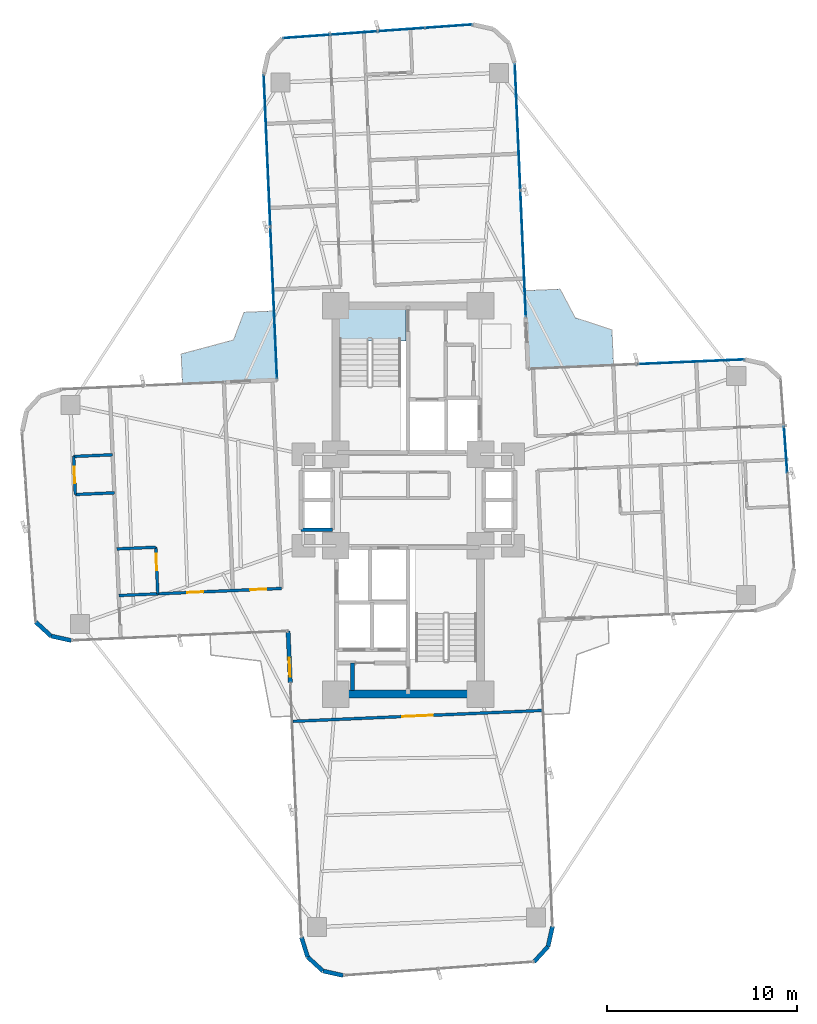
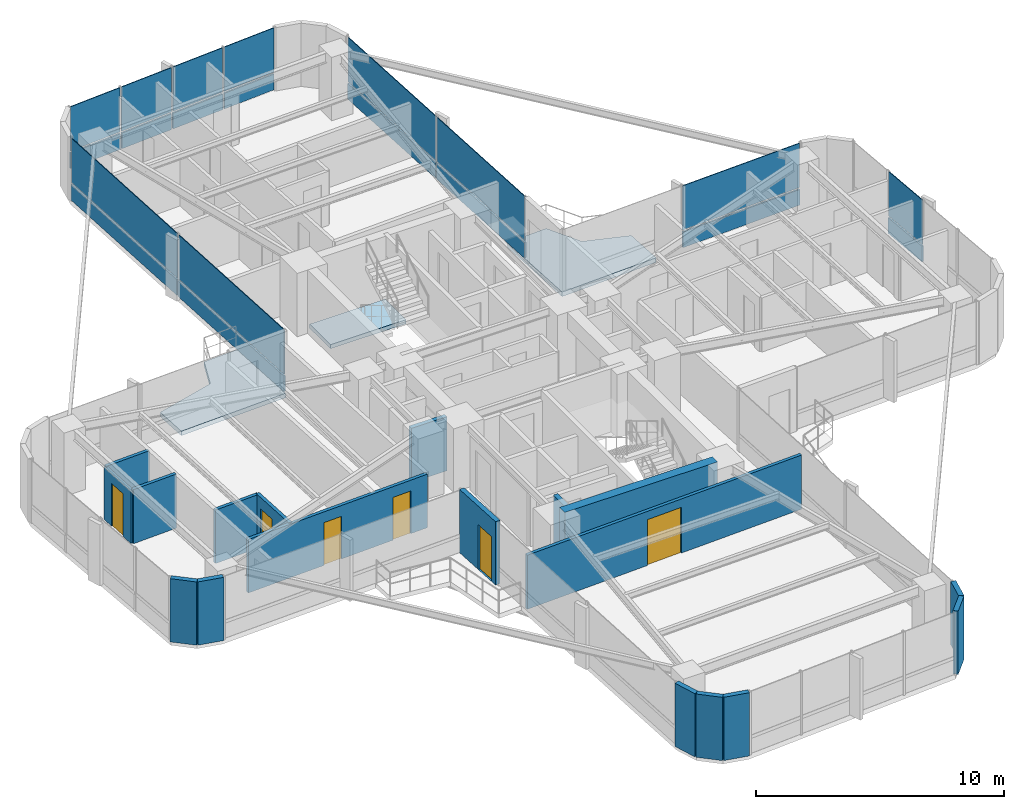
# One storey, part 22 of 26: 20 plates, 18 walls, 6 doors, 3 slabs, 6 openings, 5 elements without a shape of their own.
"""IFC4 building model written with IfcOpenShell, lengths in metres."""

from ifc_helpers import new_model, si_unit, direction, frame, frame_2d, origin, origin_2d, place, context, subcontext, project, spatial, polyline, rectangle, outline, extrude, source, transform, mapped, material, layer, layer_set, type_object, element, fill, aggregate, save


model = new_model("IFC4")

# Units and contexts
model_context = context("Model", 3, precision=1e-05, world=origin(), true_north=direction((0.0, 1.0)))
body_context = subcontext(model_context, "Body", "Model", "MODEL_VIEW")
ifc_project = project(units=[si_unit("LENGTHUNIT", "METRE"), si_unit("AREAUNIT", "SQUARE_METRE"), si_unit("VOLUMEUNIT", "CUBIC_METRE"), si_unit("PLANEANGLEUNIT", "RADIAN"), si_unit("MASSUNIT", "GRAM", prefix="KILO")], contexts=[model_context])

# Site, building, storey
site_placement = place(None, origin())
site = spatial("IfcSite", under=ifc_project, at=site_placement, CompositionType="ELEMENT")
building_placement = place(site_placement, origin())
building = spatial("IfcBuilding", under=site, at=building_placement, Name="Sahyath Konkavel Grand Hotel", CompositionType="ELEMENT")
storey_placement = place(building_placement, frame((0.0, 0.0, 83.5)))
storey = spatial("IfcBuildingStorey", under=building, at=storey_placement, Name="L22", CompositionType="ELEMENT", Elevation=83.5)

# Slabs
ifc_material_1 = material(Name="Concrete C40/50", Category="concrete")
ifc_layer_1 = layer(ifc_material_1, 0.219970703125)
ifc_layer_set_1 = layer_set([ifc_layer_1], Name="Concrete C40/50")
slab_type_1 = type_object("IfcSlabType", Name="SLB-BALCONY-220", PredefinedType="FLOOR", material=ifc_layer_set_1)
slab_1_placement = place(storey_placement, frame((0.0, 0.0, -0.219970703125)))
element("IfcSlab", 1, at=slab_1_placement, inside=storey, type_object=slab_type_1, Name="L22 Winter-Garden Balcony NE", PredefinedType="FLOOR", context=body_context, shape_type="SweptSolid", body=[
    extrude(outline(polyline([(6.305908203125, 6.881591796875), (10.78662109375, 7.0771484375), (10.70556640625, 8.933837890625), (8.771728515625, 9.57275390625), (7.98291015625, 11.07373046875), (6.126220703125, 10.99267578125), (6.305908203125, 6.881591796875)])), origin(), (0.0, 0.0, 1.0), 0.219970703125),
])
slab_2_placement = place(storey_placement, frame((0.0, 0.0, -0.219970703125)))
element("IfcSlab", 2, at=slab_2_placement, inside=storey, type_object=slab_type_1, Name="L22 Winter-Garden Balcony NW", PredefinedType="FLOOR", context=body_context, shape_type="SweptSolid", body=[
    extrude(outline(polyline([(-6.881591796875, 6.305908203125), (-7.039794921875, 9.927490234375), (-8.61865234375, 9.8583984375), (-9.17041015625, 8.403076171875), (-11.9208984375, 7.667724609375), (-11.851806640625, 6.0888671875), (-6.881591796875, 6.305908203125)])), origin(), (0.0, 0.0, 1.0), 0.219970703125),
])
ifc_layer_2 = layer(ifc_material_1, 0.199951171875)
ifc_layer_set_2 = layer_set([ifc_layer_2], Name="Concrete C40/50")
slab_type_2 = type_object("IfcSlabType", Name="SLB-STAIR-LND", PredefinedType="LANDING", material=ifc_layer_set_2)
slab_3_placement = place(storey_placement, frame((0.0, 0.0, -0.199951171875)))
element("IfcSlab", 3, at=slab_3_placement, inside=storey, type_object=slab_type_2, Name="L22 Stair ST-1 Floor Landing Slab", PredefinedType="LANDING", context=body_context, shape_type="SweptSolid", body=[
    extrude(outline(polyline([(-3.6201171875, 8.35009765625), (-0.10009765625, 8.35009765625), (-0.10009765625, 10.02001953125), (-3.6201171875, 10.02001953125), (-3.6201171875, 8.35009765625)])), origin(), (0.0, 0.0, 1.0), 0.199951171875),
])

# Curtain wall, plate
ifc_material_2 = material(Name="Anodised Bronze Aluminium & Low-E Glazing", Category="aluminium")
curtain_wall_type = type_object("IfcCurtainWallType", Name="CW-ZONE2", PredefinedType="NOTDEFINED", material=ifc_material_2)
curtain_wall_1_placement = place(storey_placement, origin())
curtain_wall_1 = element("IfcCurtainWall", 4, at=curtain_wall_1_placement, inside=storey, type_object=curtain_wall_type, Name="L22 Unitised Curtain Wall F4", PredefinedType="NOTDEFINED")
ifc_material_3 = material(Name="Warm Buff Sandstone Cladding", Category="masonry")
ifc_layer_3 = layer(ifc_material_3, 0.074951171875)
ifc_layer_set_3 = layer_set([ifc_layer_3], Name="Warm Buff Sandstone Cladding")
plate_type_1 = type_object("IfcPlateType", Name="PNL-SPANDREL-STONE", PredefinedType="SHEET", material=ifc_layer_set_3)
shared_shape_1 = source(origin(), body_context, "Body", "SweptSolid", [
    extrude(rectangle(XDim=2.41357421875, YDim=0.074951171875, at=origin_2d()), origin(), (0.0, 0.0, 1.0), 0.77001953125),
])
plate_1_placement = place(storey_placement, frame((19.828369140625, 2.638671875, 0.0400390625), z_axis=(0.0, 0.0, 1.0), x_axis=(-0.071567078661, 0.997435789037, 0.0)))
plate_1 = element("IfcPlate", 5, at=plate_1_placement, type_object=plate_type_1, Name="L22 Sandstone Relief Spandrel Panel F4-2", PredefinedType="SHEET", context=body_context, shape_type="MappedRepresentation", body=[
    mapped(shared_shape_1, transform((0.0, 0.0, 0.0), scale=1.0)),
])

# Curtain wall, plates
curtain_wall_2_placement = place(storey_placement, origin())
curtain_wall_2 = element("IfcCurtainWall", 6, at=curtain_wall_2_placement, inside=storey, type_object=curtain_wall_type, Name="L22 Unitised Curtain Wall F12", PredefinedType="NOTDEFINED")
plate_2_placement = place(storey_placement, frame((2.130615234375, 24.880615234375, 0.0400390625), z_axis=(0.0, 0.0, 1.0), x_axis=(-0.997435789037, -0.071567078661, 0.0)))
plate_2 = element("IfcPlate", 7, at=plate_2_placement, type_object=plate_type_1, Name="L22 Sandstone Relief Spandrel Panel F12-0", PredefinedType="SHEET", context=body_context, shape_type="MappedRepresentation", body=[
    mapped(shared_shape_1, transform((0.0, 0.0, 0.0), scale=1.0)),
])
plate_3_placement = place(storey_placement, frame((-0.356689453125, 24.7021484375, 0.0400390625), z_axis=(0.0, 0.0, 1.0), x_axis=(-0.997435789037, -0.071567078661, 0.0)))
plate_3 = element("IfcPlate", 8, at=plate_3_placement, type_object=plate_type_1, Name="L22 Sandstone Relief Spandrel Panel F12-1", PredefinedType="SHEET", context=body_context, shape_type="MappedRepresentation", body=[
    mapped(shared_shape_1, transform((0.0, 0.0, 0.0), scale=1.0)),
])
plate_4_placement = place(storey_placement, frame((-2.84375, 24.523681640625, 0.0400390625), z_axis=(0.0, 0.0, 1.0), x_axis=(-0.997435789037, -0.071567078661, 0.0)))
plate_4 = element("IfcPlate", 9, at=plate_4_placement, type_object=plate_type_1, Name="L22 Sandstone Relief Spandrel Panel F12-2", PredefinedType="SHEET", context=body_context, shape_type="MappedRepresentation", body=[
    mapped(shared_shape_1, transform((0.0, 0.0, 0.0), scale=1.0)),
])
plate_5_placement = place(storey_placement, frame((-5.330810546875, 24.34521484375, 0.0400390625), z_axis=(0.0, 0.0, 1.0), x_axis=(-0.997435789037, -0.071567078661, 0.0)))
plate_5 = element("IfcPlate", 10, at=plate_5_placement, type_object=plate_type_1, Name="L22 Sandstone Relief Spandrel Panel F12-3", PredefinedType="SHEET", context=body_context, shape_type="MappedRepresentation", body=[
    mapped(shared_shape_1, transform((0.0, 0.0, 0.0), scale=1.0)),
])

# Curtain wall, plate
curtain_wall_3_placement = place(storey_placement, origin())
curtain_wall_3 = element("IfcCurtainWall", 11, at=curtain_wall_3_placement, inside=storey, type_object=curtain_wall_type, Name="L22 Unitised Curtain Wall F7", PredefinedType="NOTDEFINED")
shared_shape_2 = source(origin(), body_context, "Body", "SweptSolid", [
    extrude(rectangle(XDim=5.580078125, YDim=0.074951171875, at=origin_2d()), origin(), (0.0, 0.0, 1.0), 0.77001953125),
])
plate_6_placement = place(storey_placement, frame((14.82763671875, 7.25390625, 0.0400390625), z_axis=(0.0, 0.0, 1.0), x_axis=(-0.999048221582, -0.043619387365, 0.0)))
plate_6 = element("IfcPlate", 12, at=plate_6_placement, type_object=plate_type_1, Name="L22 Sandstone Relief Spandrel Panel F7-0", PredefinedType="SHEET", context=body_context, shape_type="MappedRepresentation", body=[
    mapped(shared_shape_2, transform((0.0, 0.0, 0.0), scale=1.0)),
])

# Curtain wall, plates
curtain_wall_4_placement = place(storey_placement, origin())
curtain_wall_4 = element("IfcCurtainWall", 13, at=curtain_wall_4_placement, inside=storey, type_object=curtain_wall_type, Name="L22 Unitised Curtain Wall F8", PredefinedType="NOTDEFINED")
shared_shape_3 = source(origin(), body_context, "Body", "SweptSolid", [
    extrude(rectangle(XDim=6.580078125, YDim=0.074951171875, at=origin_2d()), origin(), (0.0, 0.0, 1.0), 0.77001953125),
])
plate_7_placement = place(storey_placement, frame((6.041015625, 12.94580078125, 0.0400390625), z_axis=(0.0, 0.0, 1.0), x_axis=(-0.043619387365, 0.999048221582, 0.0)))
plate_7 = element("IfcPlate", 14, at=plate_7_placement, type_object=plate_type_1, Name="L22 Sandstone Relief Spandrel Panel F8-0", PredefinedType="SHEET", context=body_context, shape_type="MappedRepresentation", body=[
    mapped(shared_shape_3, transform((0.0, 0.0, 0.0), scale=1.0)),
])
plate_8_placement = place(storey_placement, frame((5.75048828125, 19.599609375, 0.0400390625), z_axis=(0.0, 0.0, 1.0), x_axis=(-0.043619387365, 0.999048221582, 0.0)))
plate_8 = element("IfcPlate", 15, at=plate_8_placement, type_object=plate_type_1, Name="L22 Sandstone Relief Spandrel Panel F8-1", PredefinedType="SHEET", context=body_context, shape_type="MappedRepresentation", body=[
    mapped(shared_shape_3, transform((0.0, 0.0, 0.0), scale=1.0)),
])

curtain_wall_5_placement = place(storey_placement, origin())
curtain_wall_5 = element("IfcCurtainWall", 16, at=curtain_wall_5_placement, inside=storey, type_object=curtain_wall_type, Name="L22 Unitised Curtain Wall F15", PredefinedType="NOTDEFINED")
shared_shape_4 = source(origin(), body_context, "Body", "SweptSolid", [
    extrude(rectangle(XDim=7.929931640625, YDim=0.074951171875, at=origin_2d()), origin(), (0.0, 0.0, 1.0), 0.77001953125),
])
plate_9_placement = place(storey_placement, frame((-7.407470703125, 18.349365234375, 0.0400390625), z_axis=(0.0, 0.0, 1.0), x_axis=(0.043619387365, -0.999048221582, 0.0)))
plate_9 = element("IfcPlate", 17, at=plate_9_placement, type_object=plate_type_1, Name="L22 Sandstone Relief Spandrel Panel F15-0", PredefinedType="SHEET", context=body_context, shape_type="MappedRepresentation", body=[
    mapped(shared_shape_4, transform((0.0, 0.0, 0.0), scale=1.0)),
])
plate_10_placement = place(storey_placement, frame((-7.05810546875, 10.346923828125, 0.0400390625), z_axis=(0.0, 0.0, 1.0), x_axis=(0.043619387365, -0.999048221582, 0.0)))
plate_10 = element("IfcPlate", 18, at=plate_10_placement, type_object=plate_type_1, Name="L22 Sandstone Relief Spandrel Panel F15-1", PredefinedType="SHEET", context=body_context, shape_type="MappedRepresentation", body=[
    mapped(shared_shape_4, transform((0.0, 0.0, 0.0), scale=1.0)),
])

# Plate
ifc_material_4 = material(Name="Low-E Solar Control Double Glazing", Category="glass")
ifc_layer_4 = layer(ifc_material_4, 0.035888671875)
ifc_layer_set_4 = layer_set([ifc_layer_4], Name="Low-E Solar Control Double Glazing")
plate_type_2 = type_object("IfcPlateType", Name="PNL-VISION-LOWE", PredefinedType="CURTAIN_PANEL", material=ifc_layer_set_4)
shared_shape_5 = source(origin(), body_context, "Body", "SweptSolid", [
    extrude(rectangle(XDim=2.41357421875, YDim=0.035888671875, at=origin_2d()), origin(), (0.0, 0.0, 1.0), 2.179931640625),
])
plate_11_placement = place(storey_placement, frame((19.828369140625, 2.638671875, 0.89013671875), z_axis=(0.0, 0.0, 1.0), x_axis=(-0.071567078661, 0.997435789037, 0.0)))
plate_11 = element("IfcPlate", 19, at=plate_11_placement, type_object=plate_type_2, Name="L22 Low-E Vision Glazing Panel F4-2", PredefinedType="CURTAIN_PANEL", context=body_context, shape_type="MappedRepresentation", body=[
    mapped(shared_shape_5, transform((0.0, 0.0, 0.0), scale=1.0)),
])

aggregate(curtain_wall_1, [plate_1, plate_11])

plate_12_placement = place(storey_placement, frame((2.130615234375, 24.880615234375, 0.89013671875), z_axis=(0.0, 0.0, 1.0), x_axis=(-0.997435789037, -0.071567078661, 0.0)))
plate_12 = element("IfcPlate", 20, at=plate_12_placement, type_object=plate_type_2, Name="L22 Low-E Vision Glazing Panel F12-0", PredefinedType="CURTAIN_PANEL", context=body_context, shape_type="MappedRepresentation", body=[
    mapped(shared_shape_5, transform((0.0, 0.0, 0.0), scale=1.0)),
])

plate_13_placement = place(storey_placement, frame((-0.356689453125, 24.7021484375, 0.89013671875), z_axis=(0.0, 0.0, 1.0), x_axis=(-0.997435789037, -0.071567078661, 0.0)))
plate_13 = element("IfcPlate", 21, at=plate_13_placement, type_object=plate_type_2, Name="L22 Low-E Vision Glazing Panel F12-1", PredefinedType="CURTAIN_PANEL", context=body_context, shape_type="MappedRepresentation", body=[
    mapped(shared_shape_5, transform((0.0, 0.0, 0.0), scale=1.0)),
])

plate_14_placement = place(storey_placement, frame((-2.84375, 24.523681640625, 0.89013671875), z_axis=(0.0, 0.0, 1.0), x_axis=(-0.997435789037, -0.071567078661, 0.0)))
plate_14 = element("IfcPlate", 22, at=plate_14_placement, type_object=plate_type_2, Name="L22 Low-E Vision Glazing Panel F12-2", PredefinedType="CURTAIN_PANEL", context=body_context, shape_type="MappedRepresentation", body=[
    mapped(shared_shape_5, transform((0.0, 0.0, 0.0), scale=1.0)),
])

plate_15_placement = place(storey_placement, frame((-5.330810546875, 24.34521484375, 0.89013671875), z_axis=(0.0, 0.0, 1.0), x_axis=(-0.997435789037, -0.071567078661, 0.0)))
plate_15 = element("IfcPlate", 23, at=plate_15_placement, type_object=plate_type_2, Name="L22 Low-E Vision Glazing Panel F12-3", PredefinedType="CURTAIN_PANEL", context=body_context, shape_type="MappedRepresentation", body=[
    mapped(shared_shape_5, transform((0.0, 0.0, 0.0), scale=1.0)),
])

aggregate(curtain_wall_2, [plate_2, plate_12, plate_3, plate_13, plate_4, plate_14, plate_5, plate_15])

shared_shape_6 = source(origin(), body_context, "Body", "SweptSolid", [
    extrude(rectangle(XDim=5.580078125, YDim=0.035888671875, at=origin_2d()), origin(), (0.0, 0.0, 1.0), 2.179931640625),
])
plate_16_placement = place(storey_placement, frame((14.82763671875, 7.25390625, 0.89013671875), z_axis=(0.0, 0.0, 1.0), x_axis=(-0.999048221582, -0.043619387365, 0.0)))
plate_16 = element("IfcPlate", 24, at=plate_16_placement, type_object=plate_type_2, Name="L22 Low-E Vision Glazing Panel F7-0", PredefinedType="CURTAIN_PANEL", context=body_context, shape_type="MappedRepresentation", body=[
    mapped(shared_shape_6, transform((0.0, 0.0, 0.0), scale=1.0)),
])

aggregate(curtain_wall_3, [plate_6, plate_16])

shared_shape_7 = source(origin(), body_context, "Body", "SweptSolid", [
    extrude(rectangle(XDim=6.580078125, YDim=0.035888671875, at=origin_2d()), origin(), (0.0, 0.0, 1.0), 2.179931640625),
])
plate_17_placement = place(storey_placement, frame((6.041015625, 12.94580078125, 0.89013671875), z_axis=(0.0, 0.0, 1.0), x_axis=(-0.043619387365, 0.999048221582, 0.0)))
plate_17 = element("IfcPlate", 25, at=plate_17_placement, type_object=plate_type_2, Name="L22 Low-E Vision Glazing Panel F8-0", PredefinedType="CURTAIN_PANEL", context=body_context, shape_type="MappedRepresentation", body=[
    mapped(shared_shape_7, transform((0.0, 0.0, 0.0), scale=1.0)),
])

plate_18_placement = place(storey_placement, frame((5.75048828125, 19.599609375, 0.89013671875), z_axis=(0.0, 0.0, 1.0), x_axis=(-0.043619387365, 0.999048221582, 0.0)))
plate_18 = element("IfcPlate", 26, at=plate_18_placement, type_object=plate_type_2, Name="L22 Low-E Vision Glazing Panel F8-1", PredefinedType="CURTAIN_PANEL", context=body_context, shape_type="MappedRepresentation", body=[
    mapped(shared_shape_7, transform((0.0, 0.0, 0.0), scale=1.0)),
])

aggregate(curtain_wall_4, [plate_7, plate_17, plate_8, plate_18])

shared_shape_8 = source(origin(), body_context, "Body", "SweptSolid", [
    extrude(rectangle(XDim=7.929931640625, YDim=0.035888671875, at=origin_2d()), origin(), (0.0, 0.0, 1.0), 2.179931640625),
])
plate_19_placement = place(storey_placement, frame((-7.407470703125, 18.349365234375, 0.89013671875), z_axis=(0.0, 0.0, 1.0), x_axis=(0.043619387365, -0.999048221582, 0.0)))
plate_19 = element("IfcPlate", 27, at=plate_19_placement, type_object=plate_type_2, Name="L22 Low-E Vision Glazing Panel F15-0", PredefinedType="CURTAIN_PANEL", context=body_context, shape_type="MappedRepresentation", body=[
    mapped(shared_shape_8, transform((0.0, 0.0, 0.0), scale=1.0)),
])

plate_20_placement = place(storey_placement, frame((-7.05810546875, 10.346923828125, 0.89013671875), z_axis=(0.0, 0.0, 1.0), x_axis=(0.043619387365, -0.999048221582, 0.0)))
plate_20 = element("IfcPlate", 28, at=plate_20_placement, type_object=plate_type_2, Name="L22 Low-E Vision Glazing Panel F15-1", PredefinedType="CURTAIN_PANEL", context=body_context, shape_type="MappedRepresentation", body=[
    mapped(shared_shape_8, transform((0.0, 0.0, 0.0), scale=1.0)),
])

aggregate(curtain_wall_5, [plate_9, plate_19, plate_10, plate_20])

# Walls
ifc_material_5 = material(Name="Concrete C50/60", Category="concrete")
ifc_layer_5 = layer(ifc_material_5, 0.419921875)
ifc_layer_set_5 = layer_set([ifc_layer_5], Name="Concrete C50/60")
wall_type_1 = type_object("IfcWallType", Name="CWALL-420", PredefinedType="SHEAR", material=ifc_layer_set_5)
wall_1_placement = place(storey_placement, frame((-3.550048828125, -10.199951171875, 0.0), z_axis=(0.0, 0.0, 1.0), x_axis=(1.0, 0.0, 0.0)))
element("IfcWall", 29, at=wall_1_placement, inside=storey, type_object=wall_type_1, Name="L22 South Core Shear Wall S", PredefinedType="SHEAR", context=body_context, shape_type="SweptSolid", body=[
    extrude(rectangle(XDim=7.10009765625, YDim=0.419921875, at=frame_2d((3.550048828125, 0.0))), origin(), (0.0, 0.0, 1.0), 3.110107421875),
])
ifc_material_6 = material(Name="Warm Buff Sandstone Insulated Concrete C40/50", Category="masonry")
ifc_layer_6 = layer(ifc_material_6, 0.219970703125)
ifc_layer_set_6 = layer_set([ifc_layer_6], Name="Warm Buff Sandstone Insulated Concrete C40/50")
wall_type_2 = type_object("IfcWallType", Name="WLL-BALC-THRESH", PredefinedType="STANDARD", material=ifc_layer_set_6)
wall_2_placement = place(storey_placement, frame((-19.5576171875, -6.4091796875, 0.0), z_axis=(0.0, 0.0, 1.0), x_axis=(0.737210081318, -0.675663596772, 0.0)))
element("IfcWall", 30, at=wall_2_placement, inside=storey, type_object=wall_type_2, Name="L22 Rounded Corner Sandstone Pier 21", PredefinedType="STANDARD", context=body_context, shape_type="SweptSolid", body=[
    extrude(rectangle(XDim=1.0869140625, YDim=0.219970703125, at=frame_2d((0.54345703125, 0.0))), origin(), (0.0, 0.0, 1.0), 3.110107421875),
])
wall_3_placement = place(storey_placement, frame((-18.75634765625, -7.1435546875, 0.0), z_axis=(0.0, 0.0, 1.0), x_axis=(0.976282085775, -0.216502399514, 0.0)))
element("IfcWall", 31, at=wall_3_placement, inside=storey, type_object=wall_type_2, Name="L22 Rounded Corner Sandstone Pier 22", PredefinedType="STANDARD", context=body_context, shape_type="SweptSolid", body=[
    extrude(rectangle(XDim=1.087158203125, YDim=0.219970703125, at=frame_2d((0.54345703125, 0.0))), origin(), (0.0, 0.0, 1.0), 3.110107421875),
])

# Wall, opening, door
wall_4_placement = place(storey_placement, frame((-6.305908203125, -6.881591796875, 0.0), z_axis=(0.0, 0.0, 1.0), x_axis=(0.043672655174, -0.999045894436, 0.0)))
wall_4 = element("IfcWall", 32, at=wall_4_placement, inside=storey, type_object=wall_type_2, Name="L22 Winter-Garden Threshold Wall 24", PredefinedType="STANDARD", context=body_context, shape_type="SweptSolid", body=[
    extrude(rectangle(XDim=2.7001953125, YDim=0.219970703125, at=frame_2d((1.35009765625, 0.0))), origin(), (0.0, 0.0, 1.0), 3.110107421875),
])
opening_1_placement = place(wall_4_placement, frame((1.39990234375, 0.0, 0.0)))
opening_1 = element("IfcOpeningElement", 33, at=opening_1_placement, cuts=wall_4, Name="Opening D-TR1", PredefinedType="OPENING", context=body_context, shape_type="SweptSolid", body=[
    extrude(rectangle(XDim=1.0, YDim=2.199951171875, at=frame_2d((0.5, 1.10009765625))), frame((0.0, 0.1201171875, 0.0), z_axis=(0.0, -1.0, 0.0), x_axis=(1.0, 0.0, 0.0)), (0.0, 0.0, 1.0), 0.239990234375),
])
door_type_1 = type_object("IfcDoorType", Name="DR-TERRACE-1000", OperationType="NOTDEFINED", PredefinedType="DOOR", material=ifc_material_2)
shared_shape_9 = source(origin(), body_context, "Body", "SweptSolid", [
    extrude(rectangle(XDim=1.0, YDim=0.050048828125, at=origin_2d()), origin(), (0.0, 0.0, 1.0), 2.199951171875),
])
door_1_placement = place(opening_1_placement, frame((0.5, 0.0, 0.0)))
door_1 = element("IfcDoor", 34, at=door_1_placement, inside=storey, type_object=door_type_1, Name="L22 Winter-Garden Terrace Door 24", OperationType="SINGLE_SWING_LEFT", OverallHeight=2.199951171875, OverallWidth=1.0, PredefinedType="DOOR", context=body_context, shape_type="MappedRepresentation", body=[
    mapped(shared_shape_9, transform((0.0, 0.0, 0.0), scale=1.0)),
])
fill(opening_1, door_1)

# Walls
wall_5_placement = place(storey_placement, frame((-5.603515625, -22.96630859375, 0.0), z_axis=(0.0, 0.0, 1.0), x_axis=(0.300755105707, -0.953701403161, 0.0)))
element("IfcWall", 35, at=wall_5_placement, inside=storey, type_object=wall_type_2, Name="L22 Rounded Corner Sandstone Pier 25", PredefinedType="STANDARD", context=body_context, shape_type="SweptSolid", body=[
    extrude(rectangle(XDim=1.0869140625, YDim=0.219970703125, at=frame_2d((0.54345703125, 0.0))), origin(), (0.0, 0.0, 1.0), 3.110107421875),
])
wall_6_placement = place(storey_placement, frame((-5.276611328125, -24.0029296875, 0.0), z_axis=(0.0, 0.0, 1.0), x_axis=(0.737312600672, -0.675551721847, 0.0)))
element("IfcWall", 36, at=wall_6_placement, inside=storey, type_object=wall_type_2, Name="L22 Rounded Corner Sandstone Pier 26", PredefinedType="STANDARD", context=body_context, shape_type="SweptSolid", body=[
    extrude(rectangle(XDim=1.087158203125, YDim=0.219970703125, at=frame_2d((0.54345703125, 0.0))), origin(), (0.0, 0.0, 1.0), 3.110107421875),
])
for number, where, z_axis, x_axis, name in (
    (37, (-4.47509765625, -24.7373046875, 0.0), (0.0, 0.0, 1.0), (0.976271555154, -0.216549880158, 0.0), "L22 Rounded Corner Sandstone Pier 27"),
    (38, (6.6142578125, -24.253173828125, 0.0), (0.0, 0.0, 1.0), (0.675663596772, 0.737210081318, 0.0), "L22 Rounded Corner Sandstone Pier 29"),
):
    element("IfcWall", number, at=place(storey_placement, frame(where, z_axis=z_axis, x_axis=x_axis)), inside=storey, type_object=wall_type_2, Name=name, PredefinedType="STANDARD", context=body_context, shape_type="SweptSolid", body=[
        extrude(rectangle(XDim=1.0869140625, YDim=0.219970703125, at=frame_2d((0.54345703125, 0.0))), origin(), (0.0, 0.0, 1.0), 3.110107421875),
    ])
wall_7_placement = place(storey_placement, frame((7.3486328125, -23.451904296875, 0.0), z_axis=(0.0, 0.0, 1.0), x_axis=(0.216454939174, 0.976292609471, 0.0)))
element("IfcWall", 39, at=wall_7_placement, inside=storey, type_object=wall_type_2, Name="L22 Rounded Corner Sandstone Pier 30", PredefinedType="STANDARD", context=body_context, shape_type="SweptSolid", body=[
    extrude(rectangle(XDim=1.08740234375, YDim=0.219970703125, at=frame_2d((0.543701171875, 0.0))), origin(), (0.0, 0.0, 1.0), 3.110107421875),
])
ifc_layer_7 = layer(ifc_material_1, 0.199951171875)
ifc_layer_set_7 = layer_set([ifc_layer_7], Name="Concrete C40/50")
wall_type_3 = type_object("IfcWallType", Name="WLL-CORE-200", PredefinedType="SOLIDWALL", material=ifc_layer_set_7)
wall_8_placement = place(storey_placement, frame((-5.6201171875, -1.56005859375, 0.0), z_axis=(0.0, 0.0, 1.0), x_axis=(1.0, 0.0, 0.0)))
element("IfcWall", 40, at=wall_8_placement, inside=storey, type_object=wall_type_3, Name="L22 Partition SH-SL12-S", PredefinedType="SOLIDWALL", context=body_context, shape_type="SweptSolid", body=[
    extrude(rectangle(XDim=1.64013671875, YDim=0.199951171875, at=frame_2d((0.820068359375, 0.0))), origin(), (0.0, 0.0, 1.0), 2.659912109375),
])
wall_9_placement = place(storey_placement, frame((-2.919921875, -10.0, 0.0), z_axis=(0.0, 0.0, 1.0), x_axis=(0.0, 1.0, 0.0)))
element("IfcWall", 41, at=wall_9_placement, inside=storey, type_object=wall_type_3, Name="L22 Partition SFF-W2", PredefinedType="SOLIDWALL", context=body_context, shape_type="SweptSolid", body=[
    extrude(rectangle(XDim=1.43994140625, YDim=0.199951171875, at=frame_2d((0.719970703125, 0.0))), origin(), (0.0, 0.0, 1.0), 2.659912109375),
])

# Wall, openings, doors
ifc_material_7 = material(Name="Fire-Rated Gypsum Plasterboard Partition")
ifc_layer_8 = layer(ifc_material_7, 0.14990234375)
ifc_layer_set_8 = layer_set([ifc_layer_8], Name="Fire-Rated Gypsum Plasterboard Partition")
wall_type_4 = type_object("IfcWallType", Name="WLL-PART-150", PredefinedType="PARTITIONING", material=ifc_layer_set_8)
wall_10_placement = place(storey_placement, frame((-6.65380859375, -4.644775390625, 0.0), z_axis=(0.0, 0.0, 1.0), x_axis=(-0.999048925025, -0.043603272887, 0.0)))
wall_10 = element("IfcWall", 42, at=wall_10_placement, inside=storey, type_object=wall_type_4, Name="L22 Partition W-G5W", PredefinedType="PARTITIONING", context=body_context, shape_type="SweptSolid", body=[
    extrude(rectangle(XDim=8.5498046875, YDim=0.14990234375, at=frame_2d((4.27490234375, 0.0))), origin(), (0.0, 0.0, 1.0), 2.6298828125),
])
opening_2_placement = place(wall_10_placement, frame((0.800048828125, 0.0, 0.0)))
opening_2 = element("IfcOpeningElement", 43, at=opening_2_placement, cuts=wall_10, Name="Opening D-F06D", PredefinedType="OPENING", context=body_context, shape_type="SweptSolid", body=[
    extrude(rectangle(XDim=0.85009765625, YDim=2.10009765625, at=frame_2d((0.425048828125, 1.050048828125))), frame((0.0, 0.0849609375, 0.0), z_axis=(0.0, -1.0, 0.0), x_axis=(1.0, 0.0, 0.0)), (0.0, 0.0, 1.0), 0.169921875),
])
opening_3_placement = place(wall_10_placement, frame((4.10009765625, 0.0, 0.0)))
opening_3 = element("IfcOpeningElement", 44, at=opening_3_placement, cuts=wall_10, Name="Opening D-F06D", PredefinedType="OPENING", context=body_context, shape_type="SweptSolid", body=[
    extrude(rectangle(XDim=0.85009765625, YDim=2.10009765625, at=frame_2d((0.425048828125, 1.050048828125))), frame((0.0, 0.0849609375, 0.0), z_axis=(0.0, -1.0, 0.0), x_axis=(1.0, 0.0, 0.0)), (0.0, 0.0, 1.0), 0.169921875),
])
ifc_material_8 = material(Name="Fire-Rated Shaft Access Door")
door_type_2 = type_object("IfcDoorType", Name="DR-FD60-850", OperationType="NOTDEFINED", PredefinedType="DOOR", material=ifc_material_8)
shared_shape_10 = source(origin(), body_context, "Body", "SweptSolid", [
    extrude(rectangle(XDim=0.85009765625, YDim=0.050048828125, at=origin_2d()), origin(), (0.0, 0.0, 1.0), 2.10009765625),
])
door_2_placement = place(opening_2_placement, frame((0.425048828125, 0.0, 0.0)))
door_2 = element("IfcDoor", 45, at=door_2_placement, inside=storey, type_object=door_type_2, Name="L22 Door W-WHK-D", OperationType="SINGLE_SWING_RIGHT", OverallHeight=2.10009765625, OverallWidth=0.85009765625, PredefinedType="DOOR", context=body_context, shape_type="MappedRepresentation", body=[
    mapped(shared_shape_10, transform((0.0, 0.0, 0.0), scale=1.0)),
])
fill(opening_2, door_2)
door_3_placement = place(opening_3_placement, frame((0.425048828125, 0.0, 0.0)))
door_3 = element("IfcDoor", 46, at=door_3_placement, inside=storey, type_object=door_type_2, Name="L22 Door W-WD1-ED", OperationType="SINGLE_SWING_RIGHT", OverallHeight=2.10009765625, OverallWidth=0.85009765625, PredefinedType="DOOR", context=body_context, shape_type="MappedRepresentation", body=[
    mapped(shared_shape_10, transform((0.0, 0.0, 0.0), scale=1.0)),
])
fill(opening_3, door_3)

# Wall, opening, door
wall_11_placement = place(storey_placement, frame((-13.1474609375, -4.92822265625, 0.0), z_axis=(0.0, 0.0, 1.0), x_axis=(-0.043644787072, 0.999047112283, 0.0)))
wall_11 = element("IfcWall", 47, at=wall_11_placement, inside=storey, type_object=wall_type_4, Name="L22 Partition W-WD1-BS", PredefinedType="PARTITIONING", context=body_context, shape_type="SweptSolid", body=[
    extrude(rectangle(XDim=2.4501953125, YDim=0.14990234375, at=frame_2d((1.22509765625, 0.0))), origin(), (0.0, 0.0, 1.0), 2.659912109375),
])
opening_4_placement = place(wall_11_placement, frame((1.25, 0.0, 0.0)))
opening_4 = element("IfcOpeningElement", 48, at=opening_4_placement, cuts=wall_11, Name="Opening D-BT85", PredefinedType="OPENING", context=body_context, shape_type="SweptSolid", body=[
    extrude(rectangle(XDim=0.85009765625, YDim=2.10009765625, at=frame_2d((0.425048828125, 1.050048828125))), frame((0.0, 0.0849609375, 0.0), z_axis=(0.0, -1.0, 0.0), x_axis=(1.0, 0.0, 0.0)), (0.0, 0.0, 1.0), 0.169921875),
])
ifc_material_9 = material(Name="Moisture-Resistant Teak Bathroom Door")
door_type_3 = type_object("IfcDoorType", Name="DR-BATH-850", OperationType="NOTDEFINED", PredefinedType="DOOR", material=ifc_material_9)
door_4_placement = place(opening_4_placement, frame((0.425048828125, 0.0, 0.0)))
door_4 = element("IfcDoor", 49, at=door_4_placement, inside=storey, type_object=door_type_3, Name="L22 Door W-WD1-BD", OperationType="SINGLE_SWING_LEFT", OverallHeight=2.10009765625, OverallWidth=0.85009765625, PredefinedType="DOOR", context=body_context, shape_type="MappedRepresentation", body=[
    mapped(shared_shape_10, transform((0.0, 0.0, 0.0), scale=1.0)),
])
fill(opening_4, door_4)

# Walls
wall_12_placement = place(storey_placement, frame((-13.25439453125, -2.48046875, 0.0), z_axis=(0.0, 0.0, 1.0), x_axis=(-0.999049630844, -0.043587097972, 0.0)))
element("IfcWall", 50, at=wall_12_placement, inside=storey, type_object=wall_type_4, Name="L22 Partition W-WD1-BF", PredefinedType="PARTITIONING", context=body_context, shape_type="SweptSolid", body=[
    extrude(rectangle(XDim=2.050048828125, YDim=0.14990234375, at=frame_2d((1.02490234375, 0.0))), origin(), (0.0, 0.0, 1.0), 2.6298828125),
])
wall_13_placement = place(storey_placement, frame((-15.43115234375, 0.377197265625, 0.0), z_axis=(0.0, 0.0, 1.0), x_axis=(-0.999049630844, -0.043587097972, 0.0)))
element("IfcWall", 51, at=wall_13_placement, inside=storey, type_object=wall_type_4, Name="L22 Partition W-WTIP-BN", PredefinedType="PARTITIONING", context=body_context, shape_type="SweptSolid", body=[
    extrude(rectangle(XDim=2.050048828125, YDim=0.14990234375, at=frame_2d((1.02490234375, 0.0))), origin(), (0.0, 0.0, 1.0), 2.659912109375),
])
wall_14_placement = place(storey_placement, frame((-15.518310546875, 2.37548828125, 0.0), z_axis=(0.0, 0.0, 1.0), x_axis=(-0.999044437927, -0.043705961225, 0.0)))
element("IfcWall", 52, at=wall_14_placement, inside=storey, type_object=wall_type_4, Name="L22 Partition W-WTIP-BS", PredefinedType="PARTITIONING", context=body_context, shape_type="SweptSolid", body=[
    extrude(rectangle(XDim=2.050048828125, YDim=0.14990234375, at=frame_2d((1.02490234375, 0.0))), origin(), (0.0, 0.0, 1.0), 2.6298828125),
])

# Wall, opening, door
wall_15_placement = place(storey_placement, frame((-17.56640625, 2.285888671875, 0.0), z_axis=(0.0, 0.0, 1.0), x_axis=(0.043580257179, -0.999049929275, 0.0)))
wall_15 = element("IfcWall", 53, at=wall_15_placement, inside=storey, type_object=wall_type_4, Name="L22 Partition W-WTIP-BE", PredefinedType="PARTITIONING", context=body_context, shape_type="SweptSolid", body=[
    extrude(rectangle(XDim=2.0, YDim=0.14990234375, at=frame_2d((1.0, 0.0))), origin(), (0.0, 0.0, 1.0), 2.580078125),
])
opening_5_placement = place(wall_15_placement, frame((0.550048828125, 0.0, 0.0)))
opening_5 = element("IfcOpeningElement", 54, at=opening_5_placement, cuts=wall_15, Name="Opening D-BT85", PredefinedType="OPENING", context=body_context, shape_type="SweptSolid", body=[
    extrude(rectangle(XDim=0.85009765625, YDim=2.10009765625, at=frame_2d((0.425048828125, 1.050048828125))), frame((0.0, 0.0849609375, 0.0), z_axis=(0.0, -1.0, 0.0), x_axis=(1.0, 0.0, 0.0)), (0.0, 0.0, 1.0), 0.169921875),
])
door_5_placement = place(opening_5_placement, frame((0.425048828125, 0.0, 0.0)))
door_5 = element("IfcDoor", 55, at=door_5_placement, inside=storey, type_object=door_type_3, Name="L22 Door W-WTIP-BD", OperationType="SINGLE_SWING_LEFT", OverallHeight=2.10009765625, OverallWidth=0.85009765625, PredefinedType="DOOR", context=body_context, shape_type="MappedRepresentation", body=[
    mapped(shared_shape_10, transform((0.0, 0.0, 0.0), scale=1.0)),
])
fill(opening_5, door_5)

wall_16_placement = place(storey_placement, frame((-6.048583984375, -11.625, 0.0), z_axis=(0.0, 0.0, 1.0), x_axis=(0.999047806124, 0.043628901879, 0.0)))
wall_16 = element("IfcWall", 56, at=wall_16_placement, inside=storey, type_object=wall_type_4, Name="L22 Partition S-SAL-IN", PredefinedType="PARTITIONING", context=body_context, shape_type="SweptSolid", body=[
    extrude(rectangle(XDim=13.099853515625, YDim=0.14990234375, at=frame_2d((6.5498046875, 0.0))), origin(), (0.0, 0.0, 1.0), 2.659912109375),
])
opening_6_placement = place(wall_16_placement, frame((5.75, 0.0, 0.0)))
opening_6 = element("IfcOpeningElement", 57, at=opening_6_placement, cuts=wall_16, Name="Opening D-DB16", PredefinedType="OPENING", context=body_context, shape_type="SweptSolid", body=[
    extrude(rectangle(XDim=1.60009765625, YDim=2.25, at=frame_2d((0.800048828125, 1.125))), frame((0.0, 0.0849609375, 0.0), z_axis=(0.0, -1.0, 0.0), x_axis=(1.0, 0.0, 0.0)), (0.0, 0.0, 1.0), 0.169921875),
])
ifc_material_10 = material(Name="Double Leaf Lounge Glazed Timber Door", Category="wood")
door_type_4 = type_object("IfcDoorType", Name="DR-DBL-1600", OperationType="DOUBLE_DOOR_SINGLE_SWING", PredefinedType="DOOR", material=ifc_material_10)
shared_shape_11 = source(origin(), body_context, "Body", "SweptSolid", [
    extrude(rectangle(XDim=1.60009765625, YDim=0.050048828125, at=origin_2d()), origin(), (0.0, 0.0, 1.0), 2.25),
])
door_6_placement = place(opening_6_placement, frame((0.800048828125, 0.0, 0.0)))
door_6 = element("IfcDoor", 58, at=door_6_placement, inside=storey, type_object=door_type_4, Name="L22 Door S-SAL-D", OperationType="DOUBLE_DOOR_SINGLE_SWING", OverallHeight=2.25, OverallWidth=1.60009765625, PredefinedType="DOOR", context=body_context, shape_type="MappedRepresentation", body=[
    mapped(shared_shape_11, transform((0.0, 0.0, 0.0), scale=1.0)),
])
fill(opening_6, door_6)

save(model, "model.ifc")
